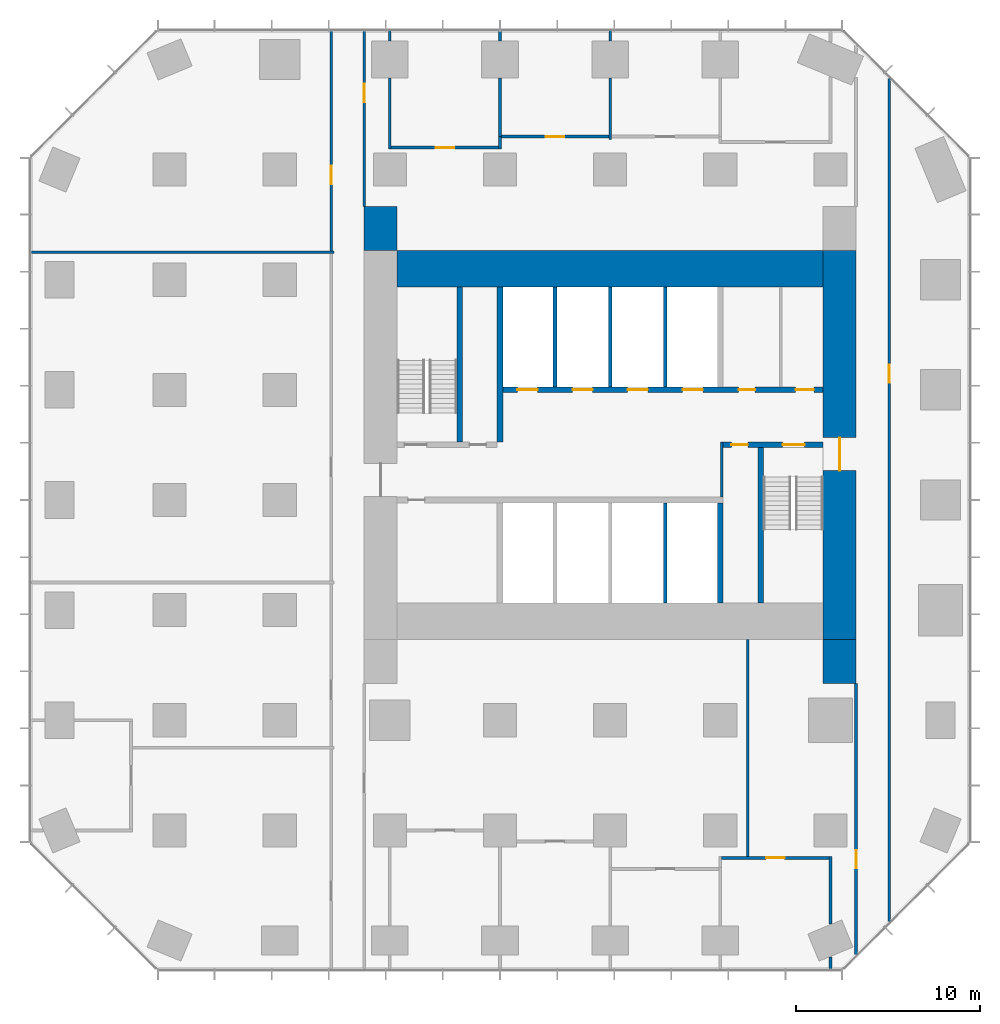
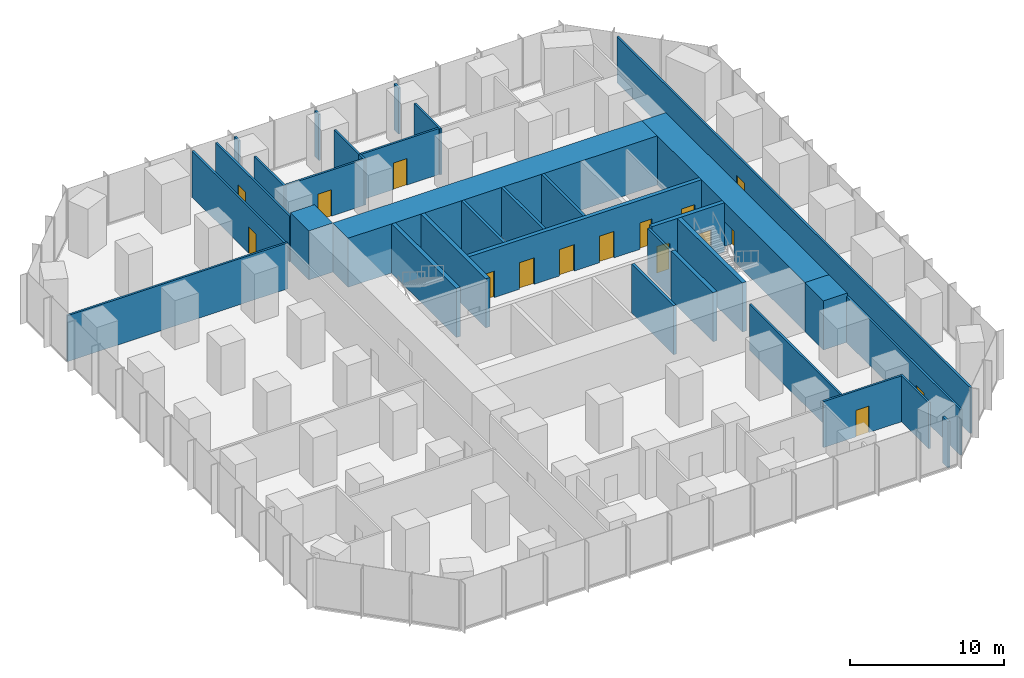
# One storey, part 9 of 11: 33 walls, 16 doors, 16 openings.
"""IFC4 building model written with IfcOpenShell, lengths in metres."""

from ifc_helpers import new_model, si_unit, direction, frame, frame_2d, origin, place, context, subcontext, project, spatial, rectangle, extrude, material, layer, layer_set, type_object, element, fill, save


model = new_model("IFC4")

# Units and contexts
model_context = context("Model", 3, precision=1e-05, world=origin(), true_north=direction((0.0, 1.0)))
body_context = subcontext(model_context, "Body", "Model", "MODEL_VIEW")
ifc_project = project(units=[si_unit("LENGTHUNIT", "METRE"), si_unit("AREAUNIT", "SQUARE_METRE"), si_unit("VOLUMEUNIT", "CUBIC_METRE"), si_unit("PLANEANGLEUNIT", "RADIAN"), si_unit("MASSUNIT", "GRAM", prefix="KILO")], contexts=[model_context])

# Site, building, storey
site_placement = place(None, origin())
site = spatial("IfcSite", under=ifc_project, at=site_placement, CompositionType="ELEMENT")
building_placement = place(site_placement, origin())
building = spatial("IfcBuilding", under=site, at=building_placement, Name="Highveld Stack Headquarters", CompositionType="ELEMENT")
storey_placement = place(building_placement, frame((0.0, 0.0, 33.800048828125)))
storey = spatial("IfcBuildingStorey", under=building, at=storey_placement, Name="L07", CompositionType="ELEMENT", Elevation=33.800048828125)

# Wall, opening, door
ifc_material_1 = material(Name="Concrete C60/75", Category="concrete")
ifc_layer_1 = layer(ifc_material_1, 1.800048828125)
ifc_layer_set_1 = layer_set([ifc_layer_1], Name="Concrete C60/75")
wall_type_1 = type_object("IfcWallType", Name="CORE WALL 1800 C60/75", PredefinedType="SHEAR", material=ifc_layer_set_1)
wall_1_placement = place(storey_placement, frame((18.5, -7.60009765625, 0.0), z_axis=(0.0, 0.0, 1.0), x_axis=(0.0, 1.0, 0.0)))
wall_1 = element("IfcWall", 1, at=wall_1_placement, inside=storey, type_object=wall_type_1, Name="Core wall E L07", PredefinedType="SHEAR", context=body_context, shape_type="SweptSolid", body=[
    extrude(rectangle(XDim=21.2001953125, YDim=1.800048828125, at=frame_2d((10.60009765625, 0.0))), origin(), (0.0, 0.0, 1.0), 3.89990234375),
])
opening_1_placement = place(wall_1_placement, frame((9.199951171875, 0.0, 0.0)))
opening_1 = element("IfcOpeningElement", 2, at=opening_1_placement, cuts=wall_1, Name="Opening L07-02", PredefinedType="OPENING", context=body_context, shape_type="SweptSolid", body=[
    extrude(rectangle(XDim=1.800048828125, YDim=2.39990234375, at=frame_2d((0.89990234375, 1.199951171875))), frame((0.0, 0.909912109375, 0.0), z_axis=(0.0, -1.0, 0.0), x_axis=(1.0, 0.0, 0.0)), (0.0, 0.0, 1.0), 1.820068359375),
])
ifc_material_2 = material(Name="Steel fire door", Category="steel")
door_type_1 = type_object("IfcDoorType", Name="LOBBY FIRE DOOR D4 1800x2400", OperationType="DOUBLE_DOOR_SINGLE_SWING", PredefinedType="DOOR", material=ifc_material_2)
door_1_placement = place(opening_1_placement, origin())
door_1 = element("IfcDoor", 3, at=door_1_placement, inside=storey, type_object=door_type_1, Name="Core east door L07", OperationType="DOUBLE_DOOR_SINGLE_SWING", OverallHeight=2.39990234375, OverallWidth=1.800048828125, PredefinedType="DOOR", context=body_context, shape_type="SweptSolid", body=[
    extrude(rectangle(XDim=1.800048828125, YDim=2.39990234375, at=frame_2d((0.89990234375, 1.199951171875))), frame((0.0, 0.02490234375, 0.0), z_axis=(0.0, -1.0, 0.0), x_axis=(1.0, 0.0, 0.0)), (0.0, 0.0, 1.0), 0.050048828125),
])
fill(opening_1, door_1)

# Wall
ifc_material_3 = material(Name="Concrete C60/75", Category="concrete")
ifc_layer_2 = layer(ifc_material_3, 2.0)
ifc_layer_set_2 = layer_set([ifc_layer_2], Name="Concrete C60/75")
wall_type_2 = type_object("IfcWallType", Name="CORE WALL 2000 C60/75", PredefinedType="SHEAR", material=ifc_layer_set_2)
wall_2_placement = place(storey_placement, frame((-5.60009765625, 12.60009765625, 0.0), z_axis=(0.0, 0.0, 1.0), x_axis=(1.0, 0.0, 0.0)))
element("IfcWall", 4, at=wall_2_placement, inside=storey, type_object=wall_type_2, Name="Core wall N L07", PredefinedType="SHEAR", context=body_context, shape_type="SweptSolid", body=[
    extrude(rectangle(XDim=23.2001953125, YDim=2.0, at=frame_2d((11.60009765625, 0.0))), origin(), (0.0, 0.0, 1.0), 3.89990234375),
])

# Wall, openings, doors
ifc_material_4 = material(Name="Concrete C60/75", Category="concrete")
ifc_layer_3 = layer(ifc_material_4, 0.300048828125)
ifc_layer_set_3 = layer_set([ifc_layer_3], Name="Concrete C60/75")
wall_type_3 = type_object("IfcWallType", Name="CORE WALL 300 C60/75", PredefinedType="SHEAR", material=ifc_layer_set_3)
wall_3_placement = place(storey_placement, frame((12.14990234375, 3.0, 0.0), z_axis=(0.0, 0.0, 1.0), x_axis=(1.0, 0.0, 0.0)))
wall_3 = element("IfcWall", 5, at=wall_3_placement, inside=storey, type_object=wall_type_3, Name="Core wall I-Y3E L07", PredefinedType="SHEAR", context=body_context, shape_type="SweptSolid", body=[
    extrude(rectangle(XDim=5.4501953125, YDim=0.300048828125, at=frame_2d((2.72509765625, 0.0))), origin(), (0.0, 0.0, 1.0), 3.89990234375),
])
opening_2_placement = place(wall_3_placement, frame((3.25, 0.0, 0.0)))
opening_2 = element("IfcOpeningElement", 6, at=opening_2_placement, cuts=wall_3, Name="Opening L07-05", PredefinedType="OPENING", context=body_context, shape_type="SweptSolid", body=[
    extrude(rectangle(XDim=1.199951171875, YDim=2.10009765625, at=frame_2d((0.60009765625, 1.050048828125))), frame((0.0, 0.159912109375, 0.0), z_axis=(0.0, -1.0, 0.0), x_axis=(1.0, 0.0, 0.0)), (0.0, 0.0, 1.0), 0.320068359375),
])
opening_3_placement = place(wall_3_placement, frame((0.449951171875, 0.0, 0.0)))
opening_3 = element("IfcOpeningElement", 7, at=opening_3_placement, cuts=wall_3, Name="Opening L07-06", PredefinedType="OPENING", context=body_context, shape_type="SweptSolid", body=[
    extrude(rectangle(XDim=0.89990234375, YDim=2.10009765625, at=frame_2d((0.449951171875, 1.050048828125))), frame((0.0, 0.159912109375, 0.0), z_axis=(0.0, -1.0, 0.0), x_axis=(1.0, 0.0, 0.0)), (0.0, 0.0, 1.0), 0.320068359375),
])
ifc_material_5 = material(Name="Steel fire door", Category="steel")
door_type_2 = type_object("IfcDoorType", Name="RISER ACCESS DOOR D5 900x2100", OperationType="SINGLE_SWING_LEFT", PredefinedType="DOOR", material=ifc_material_5)
door_2_placement = place(opening_3_placement, origin())
door_2 = element("IfcDoor", 8, at=door_2_placement, inside=storey, type_object=door_type_2, Name="Riser R2 door L07", OperationType="SINGLE_SWING_LEFT", OverallHeight=2.10009765625, OverallWidth=0.89990234375, PredefinedType="DOOR", context=body_context, shape_type="SweptSolid", body=[
    extrude(rectangle(XDim=0.89990234375, YDim=2.10009765625, at=frame_2d((0.449951171875, 1.050048828125))), frame((0.0, 0.02490234375, 0.0), z_axis=(0.0, -1.0, 0.0), x_axis=(1.0, 0.0, 0.0)), (0.0, 0.0, 1.0), 0.050048828125),
])
fill(opening_3, door_2)
ifc_material_6 = material(Name="Steel fire door", Category="steel")
door_type_3 = type_object("IfcDoorType", Name="STAIR FIRE DOOR D3 1200x2100", OperationType="SINGLE_SWING_LEFT", PredefinedType="DOOR", material=ifc_material_6)
door_3_placement = place(opening_2_placement, origin())
door_3 = element("IfcDoor", 9, at=door_3_placement, inside=storey, type_object=door_type_3, Name="Stair S2 door L07", OperationType="SINGLE_SWING_RIGHT", OverallHeight=2.10009765625, OverallWidth=1.199951171875, PredefinedType="DOOR", context=body_context, shape_type="SweptSolid", body=[
    extrude(rectangle(XDim=1.199951171875, YDim=2.10009765625, at=frame_2d((0.60009765625, 1.050048828125))), frame((0.0, 0.02490234375, 0.0), z_axis=(0.0, -1.0, 0.0), x_axis=(1.0, 0.0, 0.0)), (0.0, 0.0, 1.0), 0.050048828125),
])
fill(opening_2, door_3)

wall_4_placement = place(storey_placement, frame((-0.14990234375, 6.0, 0.0), z_axis=(0.0, 0.0, 1.0), x_axis=(1.0, 0.0, 0.0)))
wall_4 = element("IfcWall", 10, at=wall_4_placement, inside=storey, type_object=wall_type_3, Name="Core wall I-Y6 L07", PredefinedType="SHEAR", context=body_context, shape_type="SweptSolid", body=[
    extrude(rectangle(XDim=17.75, YDim=0.300048828125, at=frame_2d((8.875, 0.0))), origin(), (0.0, 0.0, 1.0), 3.89990234375),
])
opening_4_placement = place(wall_4_placement, frame((13.14990234375, 0.0, 0.0)))
opening_4 = element("IfcOpeningElement", 11, at=opening_4_placement, cuts=wall_4, Name="Opening L07-08", PredefinedType="OPENING", context=body_context, shape_type="SweptSolid", body=[
    extrude(rectangle(XDim=0.89990234375, YDim=2.10009765625, at=frame_2d((0.449951171875, 1.050048828125))), frame((0.0, 0.159912109375, 0.0), z_axis=(0.0, -1.0, 0.0), x_axis=(1.0, 0.0, 0.0)), (0.0, 0.0, 1.0), 0.320068359375),
])
opening_5_placement = place(wall_4_placement, frame((16.25, 0.0, 0.0)))
opening_5 = element("IfcOpeningElement", 12, at=opening_5_placement, cuts=wall_4, Name="Opening L07-09", PredefinedType="OPENING", context=body_context, shape_type="SweptSolid", body=[
    extrude(rectangle(XDim=1.0, YDim=2.10009765625, at=frame_2d((0.5, 1.050048828125))), frame((0.0, 0.159912109375, 0.0), z_axis=(0.0, -1.0, 0.0), x_axis=(1.0, 0.0, 0.0)), (0.0, 0.0, 1.0), 0.320068359375),
])
opening_6_placement = place(wall_4_placement, frame((1.10009765625, 0.0, 0.0)))
opening_6 = element("IfcOpeningElement", 13, at=opening_6_placement, cuts=wall_4, Name="Opening LD", PredefinedType="OPENING", context=body_context, shape_type="SweptSolid", body=[
    extrude(rectangle(XDim=1.10009765625, YDim=2.10009765625, at=frame_2d((0.550048828125, 1.050048828125))), frame((0.0, 0.159912109375, 0.0), z_axis=(0.0, -1.0, 0.0), x_axis=(1.0, 0.0, 0.0)), (0.0, 0.0, 1.0), 0.320068359375),
])
opening_7_placement = place(wall_4_placement, frame((4.10009765625, 0.0, 0.0)))
opening_7 = element("IfcOpeningElement", 14, at=opening_7_placement, cuts=wall_4, Name="Opening LD", PredefinedType="OPENING", context=body_context, shape_type="SweptSolid", body=[
    extrude(rectangle(XDim=1.10009765625, YDim=2.10009765625, at=frame_2d((0.550048828125, 1.050048828125))), frame((0.0, 0.159912109375, 0.0), z_axis=(0.0, -1.0, 0.0), x_axis=(1.0, 0.0, 0.0)), (0.0, 0.0, 1.0), 0.320068359375),
])
opening_8_placement = place(wall_4_placement, frame((7.10009765625, 0.0, 0.0)))
opening_8 = element("IfcOpeningElement", 15, at=opening_8_placement, cuts=wall_4, Name="Opening LD", PredefinedType="OPENING", context=body_context, shape_type="SweptSolid", body=[
    extrude(rectangle(XDim=1.10009765625, YDim=2.10009765625, at=frame_2d((0.550048828125, 1.050048828125))), frame((0.0, 0.159912109375, 0.0), z_axis=(0.0, -1.0, 0.0), x_axis=(1.0, 0.0, 0.0)), (0.0, 0.0, 1.0), 0.320068359375),
])
opening_9_placement = place(wall_4_placement, frame((10.10009765625, 0.0, 0.0)))
opening_9 = element("IfcOpeningElement", 16, at=opening_9_placement, cuts=wall_4, Name="Opening LD", PredefinedType="OPENING", context=body_context, shape_type="SweptSolid", body=[
    extrude(rectangle(XDim=1.10009765625, YDim=2.10009765625, at=frame_2d((0.550048828125, 1.050048828125))), frame((0.0, 0.159912109375, 0.0), z_axis=(0.0, -1.0, 0.0), x_axis=(1.0, 0.0, 0.0)), (0.0, 0.0, 1.0), 0.320068359375),
])
ifc_material_7 = material(Name="Timber door, painted", Category="wood")
door_type_4 = type_object("IfcDoorType", Name="ACCESSIBLE WC DOOR D2 1000x2100", OperationType="SINGLE_SWING_RIGHT", PredefinedType="DOOR", material=ifc_material_7)
door_4_placement = place(opening_5_placement, origin())
door_4 = element("IfcDoor", 17, at=door_4_placement, inside=storey, type_object=door_type_4, Name="Accessible WC door L07", OperationType="SINGLE_SWING_RIGHT", OverallHeight=2.10009765625, OverallWidth=1.0, PredefinedType="DOOR", context=body_context, shape_type="SweptSolid", body=[
    extrude(rectangle(XDim=1.0, YDim=2.10009765625, at=frame_2d((0.5, 1.050048828125))), frame((0.0, 0.02490234375, 0.0), z_axis=(0.0, -1.0, 0.0), x_axis=(1.0, 0.0, 0.0)), (0.0, 0.0, 1.0), 0.050048828125),
])
fill(opening_5, door_4)
ifc_material_8 = material(Name="Stainless steel lift landing door", Category="steel")
door_type_5 = type_object("IfcDoorType", Name="LIFT LANDING DOOR LD 1100x2100", OperationType="DOUBLE_DOOR_SLIDING", PredefinedType="USERDEFINED", material=ifc_material_8)
door_5_placement = place(opening_6_placement, origin())
door_5 = element("IfcDoor", 18, at=door_5_placement, inside=storey, type_object=door_type_5, Name="Lift landing door FF1 L07", ObjectType="LIFT LANDING DOOR", OperationType="DOUBLE_DOOR_SLIDING", OverallHeight=2.10009765625, OverallWidth=1.10009765625, PredefinedType="USERDEFINED", context=body_context, shape_type="SweptSolid", body=[
    extrude(rectangle(XDim=1.10009765625, YDim=2.10009765625, at=frame_2d((0.550048828125, 1.050048828125))), frame((0.0, 0.02490234375, 0.0), z_axis=(0.0, -1.0, 0.0), x_axis=(1.0, 0.0, 0.0)), (0.0, 0.0, 1.0), 0.050048828125),
])
fill(opening_6, door_5)
door_6_placement = place(opening_7_placement, origin())
door_6 = element("IfcDoor", 19, at=door_6_placement, inside=storey, type_object=door_type_5, Name="Lift landing door FF2 L07", ObjectType="LIFT LANDING DOOR", OperationType="DOUBLE_DOOR_SLIDING", OverallHeight=2.10009765625, OverallWidth=1.10009765625, PredefinedType="USERDEFINED", context=body_context, shape_type="SweptSolid", body=[
    extrude(rectangle(XDim=1.10009765625, YDim=2.10009765625, at=frame_2d((0.550048828125, 1.050048828125))), frame((0.0, 0.02490234375, 0.0), z_axis=(0.0, -1.0, 0.0), x_axis=(1.0, 0.0, 0.0)), (0.0, 0.0, 1.0), 0.050048828125),
])
fill(opening_7, door_6)
door_7_placement = place(opening_8_placement, origin())
door_7 = element("IfcDoor", 20, at=door_7_placement, inside=storey, type_object=door_type_5, Name="Lift landing door A1 L07", ObjectType="LIFT LANDING DOOR", OperationType="DOUBLE_DOOR_SLIDING", OverallHeight=2.10009765625, OverallWidth=1.10009765625, PredefinedType="USERDEFINED", context=body_context, shape_type="SweptSolid", body=[
    extrude(rectangle(XDim=1.10009765625, YDim=2.10009765625, at=frame_2d((0.550048828125, 1.050048828125))), frame((0.0, 0.02490234375, 0.0), z_axis=(0.0, -1.0, 0.0), x_axis=(1.0, 0.0, 0.0)), (0.0, 0.0, 1.0), 0.050048828125),
])
fill(opening_8, door_7)
door_8_placement = place(opening_9_placement, origin())
door_8 = element("IfcDoor", 21, at=door_8_placement, inside=storey, type_object=door_type_5, Name="Lift landing door A2 L07", ObjectType="LIFT LANDING DOOR", OperationType="DOUBLE_DOOR_SLIDING", OverallHeight=2.10009765625, OverallWidth=1.10009765625, PredefinedType="USERDEFINED", context=body_context, shape_type="SweptSolid", body=[
    extrude(rectangle(XDim=1.10009765625, YDim=2.10009765625, at=frame_2d((0.550048828125, 1.050048828125))), frame((0.0, 0.02490234375, 0.0), z_axis=(0.0, -1.0, 0.0), x_axis=(1.0, 0.0, 0.0)), (0.0, 0.0, 1.0), 0.050048828125),
])
fill(opening_9, door_8)
ifc_material_9 = material(Name="Timber door, painted", Category="wood")
door_type_6 = type_object("IfcDoorType", Name="WC DOOR D1 900x2100", OperationType="SINGLE_SWING_LEFT", PredefinedType="DOOR", material=ifc_material_9)
door_9_placement = place(opening_4_placement, origin())
door_9 = element("IfcDoor", 22, at=door_9_placement, inside=storey, type_object=door_type_6, Name="Male WC door L07", OperationType="SINGLE_SWING_RIGHT", OverallHeight=2.10009765625, OverallWidth=0.89990234375, PredefinedType="DOOR", context=body_context, shape_type="SweptSolid", body=[
    extrude(rectangle(XDim=0.89990234375, YDim=2.10009765625, at=frame_2d((0.449951171875, 1.050048828125))), frame((0.0, 0.02490234375, 0.0), z_axis=(0.0, -1.0, 0.0), x_axis=(1.0, 0.0, 0.0)), (0.0, 0.0, 1.0), 0.050048828125),
])
fill(opening_4, door_9)

# Walls
wall_5_placement = place(storey_placement, frame((0.0, 3.14990234375, 0.0), z_axis=(0.0, 0.0, 1.0), x_axis=(0.0, 1.0, 0.0)))
element("IfcWall", 23, at=wall_5_placement, inside=storey, type_object=wall_type_3, Name="Core wall I-X0N L07", PredefinedType="SHEAR", context=body_context, shape_type="SweptSolid", body=[
    extrude(rectangle(XDim=8.4501953125, YDim=0.300048828125, at=frame_2d((4.22509765625, 0.0))), origin(), (0.0, 0.0, 1.0), 3.89990234375),
])
wall_6_placement = place(storey_placement, frame((12.0, -5.60009765625, 0.0), z_axis=(0.0, 0.0, 1.0), x_axis=(0.0, 1.0, 0.0)))
element("IfcWall", 24, at=wall_6_placement, inside=storey, type_object=wall_type_3, Name="Core wall I-X12S L07", PredefinedType="SHEAR", context=body_context, shape_type="SweptSolid", body=[
    extrude(rectangle(XDim=5.4501953125, YDim=0.300048828125, at=frame_2d((2.72509765625, 0.0))), origin(), (0.0, 0.0, 1.0), 3.89990234375),
])
for number, where, z_axis, x_axis, name in (
    (25, (-2.199951171875, 3.14990234375, 0.0), (0.0, 0.0, 1.0), (0.0, 1.0, 0.0), "Core wall I-RW L07"),
    (26, (14.199951171875, -5.60009765625, 0.0), (0.0, 0.0, 1.0), (0.0, 1.0, 0.0), "Core wall I-RE L07"),
):
    element("IfcWall", number, at=place(storey_placement, frame(where, z_axis=z_axis, x_axis=x_axis)), inside=storey, type_object=wall_type_3, Name=name, PredefinedType="SHEAR", context=body_context, shape_type="SweptSolid", body=[
        extrude(rectangle(XDim=8.4501953125, YDim=0.300048828125, at=frame_2d((4.22509765625, 0.0))), origin(), (0.0, 0.0, 1.0), 3.89990234375),
    ])
ifc_material_10 = material(Name="Concrete C60/75", Category="concrete")
ifc_layer_4 = layer(ifc_material_10, 1.800048828125)
ifc_layer_set_4 = layer_set([ifc_layer_4], Name="Concrete C60/75")
wall_type_4 = type_object("IfcWallType", Name="CORE WING WALL 1800 C60/75", PredefinedType="SHEAR", material=ifc_layer_set_4)
for number, where, z_axis, x_axis, name in (
    (27, (-6.5, 13.60009765625, 0.0), (0.0, 0.0, 1.0), (0.0, 1.0, 0.0), "Core wing wall WN L07"),
    (28, (18.5, -10.0, 0.0), (0.0, 0.0, 1.0), (0.0, 1.0, 0.0), "Core wing wall ES L07"),
):
    element("IfcWall", number, at=place(storey_placement, frame(where, z_axis=z_axis, x_axis=x_axis)), inside=storey, type_object=wall_type_4, Name=name, PredefinedType="SHEAR", context=body_context, shape_type="SweptSolid", body=[
        extrude(rectangle(XDim=2.39990234375, YDim=1.800048828125, at=frame_2d((1.199951171875, 0.0))), origin(), (0.0, 0.0, 1.0), 3.89990234375),
    ])
ifc_material_11 = material(Name="Concrete blockwork, plastered", Category="masonry")
ifc_layer_5 = layer(ifc_material_11, 0.14990234375)
ifc_layer_set_5 = layer_set([ifc_layer_5], Name="Concrete blockwork, plastered")
wall_type_5 = type_object("IfcWallType", Name="FIRE PARTITION 150 BLOCKWORK", PredefinedType="PARTITIONING", material=ifc_layer_set_5)
wall_7_placement = place(storey_placement, frame((12.074951171875, 0.14990234375, 0.0), z_axis=(0.0, 0.0, 1.0), x_axis=(0.0, 1.0, 0.0)))
element("IfcWall", 29, at=wall_7_placement, inside=storey, type_object=wall_type_5, Name="Riser R2 enclosure L07", PredefinedType="PARTITIONING", context=body_context, shape_type="SweptSolid", body=[
    extrude(rectangle(XDim=3.0, YDim=0.14990234375, at=frame_2d((1.5, 0.0))), origin(), (0.0, 0.0, 1.0), 3.64990234375),
])
ifc_material_12 = material(Name="Concrete blockwork, fair-faced", Category="masonry")
ifc_layer_6 = layer(ifc_material_12, 0.199951171875)
ifc_layer_set_6 = layer_set([ifc_layer_6], Name="Concrete blockwork, fair-faced")
wall_type_6 = type_object("IfcWallType", Name="LIFT SHAFT ENCLOSURE WALL 200 BLOCKWORK", PredefinedType="SOLIDWALL", material=ifc_layer_set_6)
for number, where, z_axis, x_axis, name in (
    (30, (3.0, 6.14990234375, 0.0), (0.0, 0.0, 1.0), (0.0, 1.0, 0.0), "Lift shaft wall L07"),
    (31, (6.0, 6.14990234375, 0.0), (0.0, 0.0, 1.0), (0.0, 1.0, 0.0), "Lift shaft wall L07"),
    (32, (9.0, 6.14990234375, 0.0), (0.0, 0.0, 1.0), (0.0, 1.0, 0.0), "Lift shaft wall L07"),
    (33, (9.0, -5.60009765625, 0.0), (0.0, 0.0, 1.0), (0.0, 1.0, 0.0), "Lift shaft wall L07"),
):
    element("IfcWall", number, at=place(storey_placement, frame(where, z_axis=z_axis, x_axis=x_axis)), inside=storey, type_object=wall_type_6, Name=name, PredefinedType="SOLIDWALL", context=body_context, shape_type="SweptSolid", body=[
        extrude(rectangle(XDim=5.4501953125, YDim=0.199951171875, at=frame_2d((2.72509765625, 0.0))), origin(), (0.0, 0.0, 1.0), 3.89990234375),
    ])

# Wall, opening, door
ifc_material_13 = material(Name="Gypsum plasterboard on steel studs", Category="steel")
ifc_layer_7 = layer(ifc_material_13, 0.14990234375)
ifc_layer_set_7 = layer_set([ifc_layer_7], Name="Gypsum plasterboard on steel studs")
wall_type_7 = type_object("IfcWallType", Name="PARTITION 150 PLASTERBOARD", PredefinedType="PARTITIONING", material=ifc_layer_set_7)
wall_8_placement = place(storey_placement, frame((12.074951171875, -19.5, 0.0), z_axis=(0.0, 0.0, 1.0), x_axis=(1.0, 0.0, 0.0)))
wall_8 = element("IfcWall", 34, at=wall_8_placement, inside=storey, type_object=wall_type_7, Name="Partition Quiet room L07", PredefinedType="PARTITIONING", context=body_context, shape_type="SweptSolid", body=[
    extrude(rectangle(XDim=5.85009765625, YDim=0.14990234375, at=frame_2d((2.925048828125, 0.0))), origin(), (0.0, 0.0, 1.0), 3.64990234375),
])
opening_10_placement = place(wall_8_placement, frame((2.425048828125, 0.0, 0.0)))
opening_10 = element("IfcOpeningElement", 35, at=opening_10_placement, cuts=wall_8, Name="Opening L07-13", PredefinedType="OPENING", context=body_context, shape_type="SweptSolid", body=[
    extrude(rectangle(XDim=1.0, YDim=2.10009765625, at=frame_2d((0.5, 1.050048828125))), frame((0.0, 0.0849609375, 0.0), z_axis=(0.0, -1.0, 0.0), x_axis=(1.0, 0.0, 0.0)), (0.0, 0.0, 1.0), 0.169921875),
])
ifc_material_14 = material(Name="Timber door, oiled ash", Category="wood")
door_type_7 = type_object("IfcDoorType", Name="ROOM DOOR D6 1000x2100", OperationType="SINGLE_SWING_LEFT", PredefinedType="DOOR", material=ifc_material_14)
door_10_placement = place(opening_10_placement, origin())
door_10 = element("IfcDoor", 36, at=door_10_placement, inside=storey, type_object=door_type_7, Name="Quiet room door 1 L07", OperationType="SINGLE_SWING_RIGHT", OverallHeight=2.10009765625, OverallWidth=1.0, PredefinedType="DOOR", context=body_context, shape_type="SweptSolid", body=[
    extrude(rectangle(XDim=1.0, YDim=2.10009765625, at=frame_2d((0.5, 1.050048828125))), frame((0.0, 0.02490234375, 0.0), z_axis=(0.0, -1.0, 0.0), x_axis=(1.0, 0.0, 0.0)), (0.0, 0.0, 1.0), 0.050048828125),
])
fill(opening_10, door_10)

wall_9_placement = place(storey_placement, frame((-5.925048828125, 19.199951171875, 0.0), z_axis=(0.0, 0.0, 1.0), x_axis=(1.0, 0.0, 0.0)))
wall_9 = element("IfcWall", 37, at=wall_9_placement, inside=storey, type_object=wall_type_7, Name="Partition Tea kitchen L07", PredefinedType="PARTITIONING", context=body_context, shape_type="SweptSolid", body=[
    extrude(rectangle(XDim=5.85009765625, YDim=0.14990234375, at=frame_2d((2.925048828125, 0.0))), origin(), (0.0, 0.0, 1.0), 3.64990234375),
])
opening_11_placement = place(wall_9_placement, frame((2.425048828125, 0.0, 0.0)))
opening_11 = element("IfcOpeningElement", 38, at=opening_11_placement, cuts=wall_9, Name="Opening L07-15", PredefinedType="OPENING", context=body_context, shape_type="SweptSolid", body=[
    extrude(rectangle(XDim=1.0, YDim=2.10009765625, at=frame_2d((0.5, 1.050048828125))), frame((0.0, 0.0849609375, 0.0), z_axis=(0.0, -1.0, 0.0), x_axis=(1.0, 0.0, 0.0)), (0.0, 0.0, 1.0), 0.169921875),
])
door_11_placement = place(opening_11_placement, origin())
door_11 = element("IfcDoor", 39, at=door_11_placement, inside=storey, type_object=door_type_7, Name="Tea kitchen door 1 L07", OperationType="SINGLE_SWING_RIGHT", OverallHeight=2.10009765625, OverallWidth=1.0, PredefinedType="DOOR", context=body_context, shape_type="SweptSolid", body=[
    extrude(rectangle(XDim=1.0, YDim=2.10009765625, at=frame_2d((0.5, 1.050048828125))), frame((0.0, 0.02490234375, 0.0), z_axis=(0.0, -1.0, 0.0), x_axis=(1.0, 0.0, 0.0)), (0.0, 0.0, 1.0), 0.050048828125),
])
fill(opening_11, door_11)

wall_10_placement = place(storey_placement, frame((0.074951171875, 19.800048828125, 0.0), z_axis=(0.0, 0.0, 1.0), x_axis=(1.0, 0.0, 0.0)))
wall_10 = element("IfcWall", 40, at=wall_10_placement, inside=storey, type_object=wall_type_7, Name="Partition Print room L07", PredefinedType="PARTITIONING", context=body_context, shape_type="SweptSolid", body=[
    extrude(rectangle(XDim=5.85009765625, YDim=0.14990234375, at=frame_2d((2.925048828125, 0.0))), origin(), (0.0, 0.0, 1.0), 3.64990234375),
])
opening_12_placement = place(wall_10_placement, frame((2.425048828125, 0.0, 0.0)))
opening_12 = element("IfcOpeningElement", 41, at=opening_12_placement, cuts=wall_10, Name="Opening L07-16", PredefinedType="OPENING", context=body_context, shape_type="SweptSolid", body=[
    extrude(rectangle(XDim=1.0, YDim=2.10009765625, at=frame_2d((0.5, 1.050048828125))), frame((0.0, 0.0849609375, 0.0), z_axis=(0.0, -1.0, 0.0), x_axis=(1.0, 0.0, 0.0)), (0.0, 0.0, 1.0), 0.169921875),
])
door_12_placement = place(opening_12_placement, origin())
door_12 = element("IfcDoor", 42, at=door_12_placement, inside=storey, type_object=door_type_7, Name="Print room door 1 L07", OperationType="SINGLE_SWING_LEFT", OverallHeight=2.10009765625, OverallWidth=1.0, PredefinedType="DOOR", context=body_context, shape_type="SweptSolid", body=[
    extrude(rectangle(XDim=1.0, YDim=2.10009765625, at=frame_2d((0.5, 1.050048828125))), frame((0.0, 0.02490234375, 0.0), z_axis=(0.0, -1.0, 0.0), x_axis=(1.0, 0.0, 0.0)), (0.0, 0.0, 1.0), 0.050048828125),
])
fill(opening_12, door_12)

# Walls
wall_11_placement = place(storey_placement, frame((-6.0, 19.125, 0.0), z_axis=(0.0, 0.0, 1.0), x_axis=(0.0, 1.0, 0.0)))
element("IfcWall", 43, at=wall_11_placement, inside=storey, type_object=wall_type_7, Name="Partition Tea kitchen L07", PredefinedType="PARTITIONING", context=body_context, shape_type="SweptSolid", body=[
    extrude(rectangle(XDim=3.875, YDim=0.14990234375, at=frame_2d((1.9375, 0.0))), origin(), (0.0, 0.0, 1.0), 3.64990234375),
])
wall_12_placement = place(storey_placement, frame((-6.0, 25.0, 0.0), z_axis=(0.0, 0.0, 1.0), x_axis=(0.0, 1.0, 0.0)))
element("IfcWall", 44, at=wall_12_placement, inside=storey, type_object=wall_type_7, Name="Partition Tea kitchen L07", PredefinedType="PARTITIONING", context=body_context, shape_type="SweptSolid", body=[
    extrude(rectangle(XDim=0.60009765625, YDim=0.14990234375, at=frame_2d((0.300048828125, 0.0))), origin(), (0.0, 0.0, 1.0), 3.64990234375),
])
wall_13_placement = place(storey_placement, frame((0.0, 19.125, 0.0), z_axis=(0.0, 0.0, 1.0), x_axis=(0.0, 1.0, 0.0)))
element("IfcWall", 45, at=wall_13_placement, inside=storey, type_object=wall_type_7, Name="Partition Tea kitchen L07", PredefinedType="PARTITIONING", context=body_context, shape_type="SweptSolid", body=[
    extrude(rectangle(XDim=0.675048828125, YDim=0.14990234375, at=frame_2d((0.33740234375, 0.0))), origin(), (0.0, 0.0, 1.0), 3.64990234375),
])
wall_14_placement = place(storey_placement, frame((0.0, 19.800048828125, 0.0), z_axis=(0.0, 0.0, 1.0), x_axis=(0.0, 1.0, 0.0)))
element("IfcWall", 46, at=wall_14_placement, inside=storey, type_object=wall_type_7, Name="Partition Print room / Tea kitchen L07", PredefinedType="PARTITIONING", context=body_context, shape_type="SweptSolid", body=[
    extrude(rectangle(XDim=3.199951171875, YDim=0.14990234375, at=frame_2d((1.60009765625, 0.0))), origin(), (0.0, 0.0, 1.0), 3.64990234375),
])
wall_15_placement = place(storey_placement, frame((0.0, 25.0, 0.0), z_axis=(0.0, 0.0, 1.0), x_axis=(0.0, 1.0, 0.0)))
element("IfcWall", 47, at=wall_15_placement, inside=storey, type_object=wall_type_7, Name="Partition Print room / Tea kitchen L07", PredefinedType="PARTITIONING", context=body_context, shape_type="SweptSolid", body=[
    extrude(rectangle(XDim=0.550048828125, YDim=0.14990234375, at=frame_2d((0.27490234375, 0.0))), origin(), (0.0, 0.0, 1.0), 3.64990234375),
])
wall_16_placement = place(storey_placement, frame((6.0, 19.64990234375, 0.0), z_axis=(0.0, 0.0, 1.0), x_axis=(0.0, 1.0, 0.0)))
element("IfcWall", 48, at=wall_16_placement, inside=storey, type_object=wall_type_7, Name="Partition Print room L07", PredefinedType="PARTITIONING", context=body_context, shape_type="SweptSolid", body=[
    extrude(rectangle(XDim=3.35009765625, YDim=0.14990234375, at=frame_2d((1.675048828125, 0.0))), origin(), (0.0, 0.0, 1.0), 3.64990234375),
])
wall_17_placement = place(storey_placement, frame((6.0, 25.0, 0.0), z_axis=(0.0, 0.0, 1.0), x_axis=(0.0, 1.0, 0.0)))
element("IfcWall", 49, at=wall_17_placement, inside=storey, type_object=wall_type_7, Name="Partition Print room L07", PredefinedType="PARTITIONING", context=body_context, shape_type="SweptSolid", body=[
    extrude(rectangle(XDim=0.60009765625, YDim=0.14990234375, at=frame_2d((0.300048828125, 0.0))), origin(), (0.0, 0.0, 1.0), 3.64990234375),
])
wall_18_placement = place(storey_placement, frame((18.0, -25.60009765625, 0.0), z_axis=(0.0, 0.0, 1.0), x_axis=(0.0, 1.0, 0.0)))
element("IfcWall", 50, at=wall_18_placement, inside=storey, type_object=wall_type_7, Name="Partition Quiet room L07", PredefinedType="PARTITIONING", context=body_context, shape_type="SweptSolid", body=[
    extrude(rectangle(XDim=0.703125, YDim=0.14990234375, at=frame_2d((0.3515625, 0.0))), origin(), (0.0, 0.0, 1.0), 3.64990234375),
])
wall_19_placement = place(storey_placement, frame((18.0, -23.10302734375, 0.0), z_axis=(0.0, 0.0, 1.0), x_axis=(0.0, 1.0, 0.0)))
element("IfcWall", 51, at=wall_19_placement, inside=storey, type_object=wall_type_7, Name="Partition Quiet room L07", PredefinedType="PARTITIONING", context=body_context, shape_type="SweptSolid", body=[
    extrude(rectangle(XDim=3.677978515625, YDim=0.14990234375, at=frame_2d((1.8388671875, 0.0))), origin(), (0.0, 0.0, 1.0), 3.64990234375),
])
wall_20_placement = place(storey_placement, frame((-25.60009765625, 13.5, 0.0), z_axis=(0.0, 0.0, 1.0), x_axis=(1.0, 0.0, 0.0)))
element("IfcWall", 52, at=wall_20_placement, inside=storey, type_object=wall_type_7, Name="Partition office neighbourhood L07", PredefinedType="PARTITIONING", context=body_context, shape_type="SweptSolid", body=[
    extrude(rectangle(XDim=16.550048828125, YDim=0.14990234375, at=frame_2d((8.27490234375, 0.0))), origin(), (0.0, 0.0, 1.0), 3.64990234375),
])

# Wall, opening, door
wall_21_placement = place(storey_placement, frame((-9.199951171875, 13.574951171875, 0.0), z_axis=(0.0, 0.0, 1.0), x_axis=(0.0, 1.0, 0.0)))
wall_21 = element("IfcWall", 53, at=wall_21_placement, inside=storey, type_object=wall_type_7, Name="Partition office neighbourhood L07", PredefinedType="PARTITIONING", context=body_context, shape_type="SweptSolid", body=[
    extrude(rectangle(XDim=11.97509765625, YDim=0.14990234375, at=frame_2d((5.987548828125, 0.0))), origin(), (0.0, 0.0, 1.0), 3.64990234375),
])
opening_13_placement = place(wall_21_placement, frame((3.625, 0.0, 0.0)))
opening_13 = element("IfcOpeningElement", 54, at=opening_13_placement, cuts=wall_21, Name="Opening L07-26", PredefinedType="OPENING", context=body_context, shape_type="SweptSolid", body=[
    extrude(rectangle(XDim=1.0, YDim=2.10009765625, at=frame_2d((0.5, 1.050048828125))), frame((0.0, 0.0849609375, 0.0), z_axis=(0.0, -1.0, 0.0), x_axis=(1.0, 0.0, 0.0)), (0.0, 0.0, 1.0), 0.169921875),
])
door_13_placement = place(opening_13_placement, origin())
door_13 = element("IfcDoor", 55, at=door_13_placement, inside=storey, type_object=door_type_7, Name="Office neighbourhood door L07", OperationType="SINGLE_SWING_LEFT", OverallHeight=2.10009765625, OverallWidth=1.0, PredefinedType="DOOR", context=body_context, shape_type="SweptSolid", body=[
    extrude(rectangle(XDim=1.0, YDim=2.10009765625, at=frame_2d((0.5, 1.050048828125))), frame((0.0, 0.02490234375, 0.0), z_axis=(0.0, -1.0, 0.0), x_axis=(1.0, 0.0, 0.0)), (0.0, 0.0, 1.0), 0.050048828125),
])
fill(opening_13, door_13)

wall_22_placement = place(storey_placement, frame((-7.39990234375, 16.0, 0.0), z_axis=(0.0, 0.0, 1.0), x_axis=(0.0, 1.0, 0.0)))
wall_22 = element("IfcWall", 56, at=wall_22_placement, inside=storey, type_object=wall_type_7, Name="Partition office neighbourhood L07", PredefinedType="PARTITIONING", context=body_context, shape_type="SweptSolid", body=[
    extrude(rectangle(XDim=9.60009765625, YDim=0.14990234375, at=frame_2d((4.800048828125, 0.0))), origin(), (0.0, 0.0, 1.0), 3.64990234375),
])
opening_14_placement = place(wall_22_placement, frame((5.675048828125, 0.0, 0.0)))
opening_14 = element("IfcOpeningElement", 57, at=opening_14_placement, cuts=wall_22, Name="Opening L07-25", PredefinedType="OPENING", context=body_context, shape_type="SweptSolid", body=[
    extrude(rectangle(XDim=1.0, YDim=2.10009765625, at=frame_2d((0.5, 1.050048828125))), frame((0.0, 0.0849609375, 0.0), z_axis=(0.0, -1.0, 0.0), x_axis=(1.0, 0.0, 0.0)), (0.0, 0.0, 1.0), 0.169921875),
])
door_14_placement = place(opening_14_placement, origin())
door_14 = element("IfcDoor", 58, at=door_14_placement, inside=storey, type_object=door_type_7, Name="Office neighbourhood door L07", OperationType="SINGLE_SWING_RIGHT", OverallHeight=2.10009765625, OverallWidth=1.0, PredefinedType="DOOR", context=body_context, shape_type="SweptSolid", body=[
    extrude(rectangle(XDim=1.0, YDim=2.10009765625, at=frame_2d((0.5, 1.050048828125))), frame((0.0, 0.02490234375, 0.0), z_axis=(0.0, -1.0, 0.0), x_axis=(1.0, 0.0, 0.0)), (0.0, 0.0, 1.0), 0.050048828125),
])
fill(opening_14, door_14)

# Wall
wall_23_placement = place(storey_placement, frame((13.5, -19.425048828125, 0.0), z_axis=(0.0, 0.0, 1.0), x_axis=(0.0, 1.0, 0.0)))
element("IfcWall", 59, at=wall_23_placement, inside=storey, type_object=wall_type_7, Name="Partition office neighbourhood L07", PredefinedType="PARTITIONING", context=body_context, shape_type="SweptSolid", body=[
    extrude(rectangle(XDim=11.824951171875, YDim=0.14990234375, at=frame_2d((5.91259765625, 0.0))), origin(), (0.0, 0.0, 1.0), 3.64990234375),
])

# Wall, opening, door
wall_24_placement = place(storey_placement, frame((19.39990234375, -24.77099609375, 0.0), z_axis=(0.0, 0.0, 1.0), x_axis=(0.0, 1.0, 0.0)))
wall_24 = element("IfcWall", 60, at=wall_24_placement, inside=storey, type_object=wall_type_7, Name="Partition office neighbourhood L07", PredefinedType="PARTITIONING", context=body_context, shape_type="SweptSolid", body=[
    extrude(rectangle(XDim=14.77099609375, YDim=0.14990234375, at=frame_2d((7.385498046875, 0.0))), origin(), (0.0, 0.0, 1.0), 3.64990234375),
])
opening_15_placement = place(wall_24_placement, frame((4.701904296875, 0.0, 0.0)))
opening_15 = element("IfcOpeningElement", 61, at=opening_15_placement, cuts=wall_24, Name="Opening L07-20", PredefinedType="OPENING", context=body_context, shape_type="SweptSolid", body=[
    extrude(rectangle(XDim=1.0, YDim=2.10009765625, at=frame_2d((0.5, 1.050048828125))), frame((0.0, 0.0849609375, 0.0), z_axis=(0.0, -1.0, 0.0), x_axis=(1.0, 0.0, 0.0)), (0.0, 0.0, 1.0), 0.169921875),
])
door_15_placement = place(opening_15_placement, origin())
door_15 = element("IfcDoor", 62, at=door_15_placement, inside=storey, type_object=door_type_7, Name="Office neighbourhood door L07", OperationType="SINGLE_SWING_LEFT", OverallHeight=2.10009765625, OverallWidth=1.0, PredefinedType="DOOR", context=body_context, shape_type="SweptSolid", body=[
    extrude(rectangle(XDim=1.0, YDim=2.10009765625, at=frame_2d((0.5, 1.050048828125))), frame((0.0, 0.02490234375, 0.0), z_axis=(0.0, -1.0, 0.0), x_axis=(1.0, 0.0, 0.0)), (0.0, 0.0, 1.0), 0.050048828125),
])
fill(opening_15, door_15)

wall_25_placement = place(storey_placement, frame((21.199951171875, -22.970947265625, 0.0), z_axis=(0.0, 0.0, 1.0), x_axis=(0.0, 1.0, 0.0)))
wall_25 = element("IfcWall", 63, at=wall_25_placement, inside=storey, type_object=wall_type_7, Name="Partition office neighbourhood L07", PredefinedType="PARTITIONING", context=body_context, shape_type="SweptSolid", body=[
    extrude(rectangle(XDim=45.94189453125, YDim=0.14990234375, at=frame_2d((22.970947265625, 0.0))), origin(), (0.0, 0.0, 1.0), 3.64990234375),
])
opening_16_placement = place(wall_25_placement, frame((29.347900390625, 0.0, 0.0)))
opening_16 = element("IfcOpeningElement", 64, at=opening_16_placement, cuts=wall_25, Name="Opening L07-23", PredefinedType="OPENING", context=body_context, shape_type="SweptSolid", body=[
    extrude(rectangle(XDim=1.0, YDim=2.10009765625, at=frame_2d((0.5, 1.050048828125))), frame((0.0, 0.0849609375, 0.0), z_axis=(0.0, -1.0, 0.0), x_axis=(1.0, 0.0, 0.0)), (0.0, 0.0, 1.0), 0.169921875),
])
door_16_placement = place(opening_16_placement, origin())
door_16 = element("IfcDoor", 65, at=door_16_placement, inside=storey, type_object=door_type_7, Name="Office neighbourhood door L07", OperationType="SINGLE_SWING_RIGHT", OverallHeight=2.10009765625, OverallWidth=1.0, PredefinedType="DOOR", context=body_context, shape_type="SweptSolid", body=[
    extrude(rectangle(XDim=1.0, YDim=2.10009765625, at=frame_2d((0.5, 1.050048828125))), frame((0.0, 0.02490234375, 0.0), z_axis=(0.0, -1.0, 0.0), x_axis=(1.0, 0.0, 0.0)), (0.0, 0.0, 1.0), 0.050048828125),
])
fill(opening_16, door_16)

save(model, "model.ifc")
